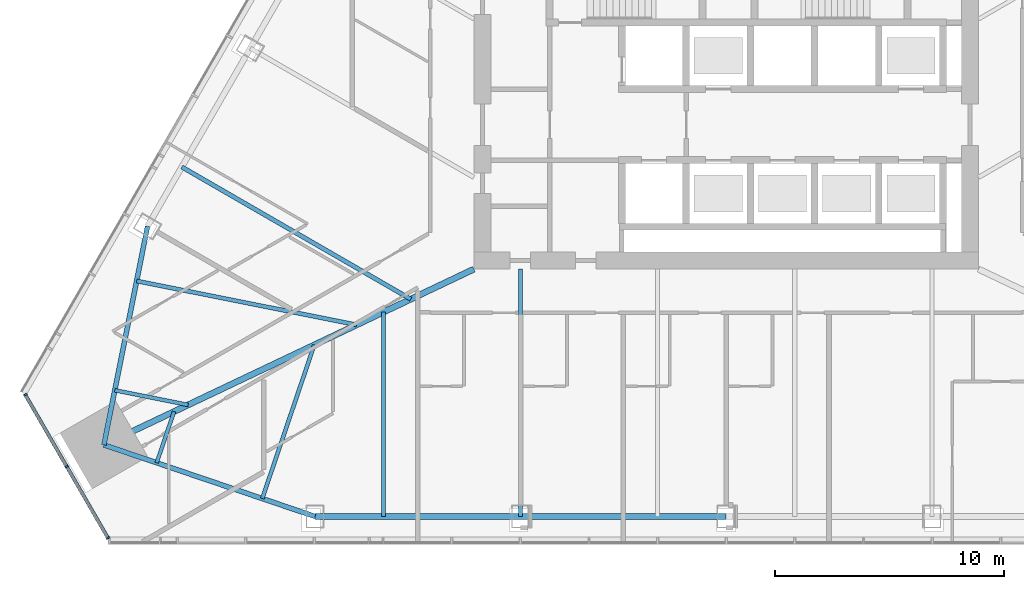
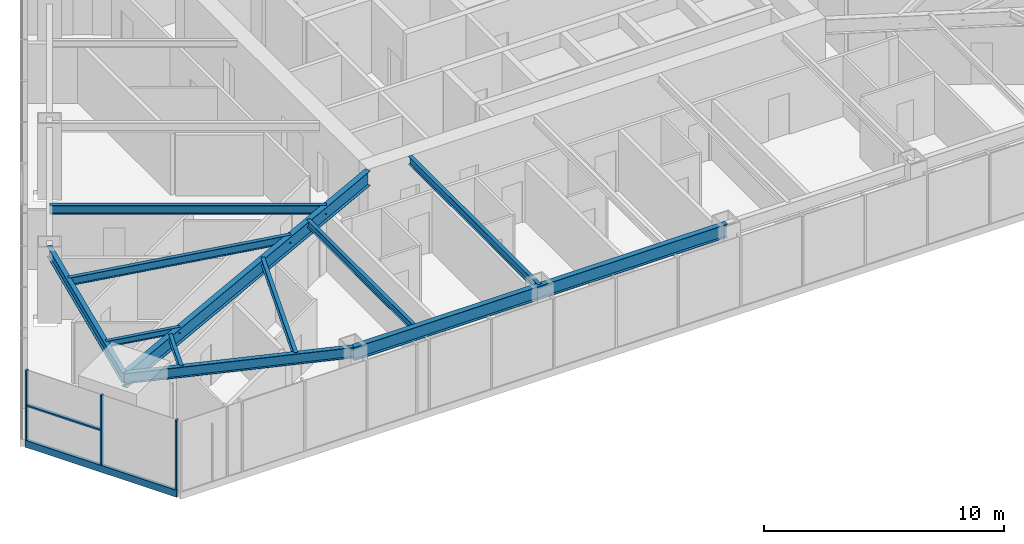
# One storey, part 2 of 21: 11 beams, 5 members, 1 element without a shape of its own.
"""IFC4 building model written with IfcOpenShell, lengths in metres."""

from ifc_helpers import new_model, si_unit, direction, frame, origin, origin_2d, place, context, subcontext, project, spatial, rectangle, i_section, extrude, material, layer, layer_set, material_profile, profile_set, type_object, element, aggregate, save


model = new_model("IFC4")

# Units and contexts
model_context = context("Model", 3, precision=1e-05, world=origin(), true_north=direction((0.0, 1.0)))
body_context = subcontext(model_context, "Body", "Model", "MODEL_VIEW")
ifc_project = project(units=[si_unit("LENGTHUNIT", "METRE"), si_unit("AREAUNIT", "SQUARE_METRE"), si_unit("VOLUMEUNIT", "CUBIC_METRE"), si_unit("PLANEANGLEUNIT", "RADIAN"), si_unit("MASSUNIT", "GRAM", prefix="KILO")], contexts=[model_context])

# Site, building, storey
site_placement = place(None, origin())
site = spatial("IfcSite", under=ifc_project, at=site_placement, CompositionType="ELEMENT")
building_placement = place(site_placement, origin())
building = spatial("IfcBuilding", under=site, at=building_placement, Name="Firuza Gate Tower and Library", CompositionType="ELEMENT")
storey_placement = place(building_placement, frame((0.0, 0.0, 167.5)))
storey = spatial("IfcBuildingStorey", under=building, at=storey_placement, Name="L38", CompositionType="ELEMENT", Elevation=167.5)

# Curtain wall, members
ifc_material_1 = material(Name="Aluminium 6063-T6", Category="aluminium")
ifc_layer = layer(ifc_material_1, 0.14990234375)
ifc_layer_set = layer_set([ifc_layer], Name="Corner curtain wall, chamfers")
curtain_wall_type = type_object("IfcCurtainWallType", Name="Corner curtain wall, chamfers", PredefinedType="NOTDEFINED", material=ifc_layer_set)
curtain_wall_placement = place(storey_placement, origin())
curtain_wall = element("IfcCurtainWall", 1, at=curtain_wall_placement, inside=storey, type_object=curtain_wall_type, Name="CW4 L38 SW corner", PredefinedType="NOTDEFINED")
ifc_material_2 = material(Name="Aluminium 6063-T6", Category="aluminium")
ifc_material_profile_1 = material_profile(ifc_material_2, rectangle(XDim=0.14990234375, YDim=0.080078125, at=origin_2d()))
ifc_profile_set_1 = profile_set([ifc_material_profile_1], Name="Aluminium 6063-T6")
member_type_1 = type_object("IfcMemberType", Name="Curtain wall mullion 80x150", PredefinedType="MULLION", material=ifc_profile_set_1)
member_1_placement = place(storey_placement, frame((44.447509765625, 61.521240234375, 0.14990234375), z_axis=(0.0, 0.0, 1.0), x_axis=(0.866025403784, 0.5, 0.0)))
member_1 = element("IfcMember", 2, at=member_1_placement, type_object=member_type_1, Name="Mullion", PredefinedType="MULLION", context=body_context, shape_type="SweptSolid", body=[
    extrude(rectangle(XDim=0.14990234375, YDim=0.080078125, at=origin_2d()), origin(), (0.0, 0.0, 1.0), 3.550048828125),
])
member_2_placement = place(storey_placement, frame((46.249267578125, 58.400634765625, 0.14990234375), z_axis=(0.0, 0.0, 1.0), x_axis=(0.866025403784, 0.5, 0.0)))
member_2 = element("IfcMember", 3, at=member_2_placement, type_object=member_type_1, Name="Mullion", PredefinedType="MULLION", context=body_context, shape_type="SweptSolid", body=[
    extrude(rectangle(XDim=0.14990234375, YDim=0.080078125, at=origin_2d()), origin(), (0.0, 0.0, 1.0), 3.550048828125),
])
member_3_placement = place(storey_placement, frame((48.051025390625, 55.2802734375, 0.14990234375), z_axis=(0.0, 0.0, 1.0), x_axis=(0.866025403784, 0.5, 0.0)))
member_3 = element("IfcMember", 4, at=member_3_placement, type_object=member_type_1, Name="Mullion", PredefinedType="MULLION", context=body_context, shape_type="SweptSolid", body=[
    extrude(rectangle(XDim=0.14990234375, YDim=0.080078125, at=origin_2d()), origin(), (0.0, 0.0, 1.0), 3.550048828125),
])
ifc_material_3 = material(Name="Aluminium 6063-T6", Category="aluminium")
ifc_material_profile_2 = material_profile(ifc_material_3, rectangle(XDim=0.14990234375, YDim=0.35009765625, at=origin_2d()))
ifc_profile_set_2 = profile_set([ifc_material_profile_2], Name="Aluminium 6063-T6")
member_type_2 = type_object("IfcMemberType", Name="Curtain wall transom 350x150", PredefinedType="USERDEFINED", material=ifc_profile_set_2)
member_4_placement = place(storey_placement, frame((44.427734375, 61.555908203125, -0.02490234375), z_axis=(0.499980589496, -0.866036610154, 0.0), x_axis=(0.866036610154, 0.499980589496, 0.0)))
member_4 = element("IfcMember", 5, at=member_4_placement, type_object=member_type_2, Name="Transom", ObjectType="TRANSOM", PredefinedType="USERDEFINED", context=body_context, shape_type="SweptSolid", body=[
    extrude(rectangle(XDim=0.14990234375, YDim=0.35009765625, at=origin_2d()), origin(), (0.0, 0.0, 1.0), 7.286376953125),
])
ifc_material_4 = material(Name="Aluminium 6063-T6", Category="aluminium")
ifc_material_profile_3 = material_profile(ifc_material_4, rectangle(XDim=0.14990234375, YDim=0.080078125, at=origin_2d()))
ifc_profile_set_3 = profile_set([ifc_material_profile_3], Name="Aluminium 6063-T6")
member_type_3 = type_object("IfcMemberType", Name="Curtain wall transom 80x150", PredefinedType="USERDEFINED", material=ifc_profile_set_3)
member_5_placement = place(storey_placement, frame((44.447509765625, 61.521240234375, 1.925048828125), z_axis=(0.500015035186, -0.866016723041, 0.0), x_axis=(0.866016723041, 0.500015035186, 0.0)))
member_5 = element("IfcMember", 6, at=member_5_placement, type_object=member_type_3, Name="Transom", ObjectType="TRANSOM", PredefinedType="USERDEFINED", context=body_context, shape_type="SweptSolid", body=[
    extrude(rectangle(XDim=0.14990234375, YDim=0.080078125, at=origin_2d()), origin(), (0.0, 0.0, 1.0), 3.5634765625),
])
aggregate(curtain_wall, [member_1, member_2, member_3, member_4, member_5])

# Beams
ifc_material_5 = material(Name="Steel S355", Category="steel")
ifc_material_profile_4 = material_profile(ifc_material_5, i_section(OverallWidth=0.1650390625, OverallDepth=0.31005859375, WebThickness=0.005859375, FlangeThickness=0.009765625, at=origin_2d()))
ifc_profile_set_4 = profile_set([ifc_material_profile_4], Name="Steel S355")
beam_type_1 = type_object("IfcBeamType", Name="W310x39 Floor beam", PredefinedType="JOIST", material=ifc_profile_set_4)
beam_1_placement = place(storey_placement, frame((48.348388671875, 61.720458984375, 3.544921875), z_axis=(0.980672759664, -0.195655151867, 0.0), x_axis=(0.195655151867, 0.980672759664, 0.0)))
element("IfcBeam", 7, at=beam_1_placement, inside=storey, type_object=beam_type_1, Name="Floor beam L38 s01", PredefinedType="JOIST", context=body_context, shape_type="SweptSolid", body=[
    extrude(i_section(OverallWidth=0.1650390625, OverallDepth=0.31005859375, WebThickness=0.005859375, FlangeThickness=0.009765625, at=origin_2d()), origin(), (0.0, 0.0, 1.0), 3.25927734375),
])
beam_2_placement = place(storey_placement, frame((50.173828125, 58.558837890625, 3.544921875), z_axis=(0.320886488599, 0.947117659763, 0.0), x_axis=(-0.947117659763, 0.320886488599, 0.0)))
element("IfcBeam", 8, at=beam_2_placement, inside=storey, type_object=beam_type_1, Name="Floor beam L38 s10", PredefinedType="JOIST", context=body_context, shape_type="SweptSolid", body=[
    extrude(i_section(OverallWidth=0.1650390625, OverallDepth=0.31005859375, WebThickness=0.005859375, FlangeThickness=0.009765625, at=origin_2d()), origin(), (0.0, 0.0, 1.0), 2.356201171875),
])
ifc_material_6 = material(Name="Steel S355", Category="steel")
ifc_material_profile_5 = material_profile(ifc_material_6, i_section(OverallWidth=0.1708984375, OverallDepth=0.35498046875, WebThickness=0.007080078125, FlangeThickness=0.01171875, at=origin_2d()))
ifc_profile_set_5 = profile_set([ifc_material_profile_5], Name="Steel S355")
beam_type_2 = type_object("IfcBeamType", Name="W360x51 Floor beam", PredefinedType="JOIST", material=ifc_profile_set_5)
beam_3_placement = place(storey_placement, frame((54.775390625, 57.0, 3.5224609375), z_axis=(0.320855506984, 0.947128155868, 0.0), x_axis=(-0.947128155868, 0.320855506984, 0.0)))
element("IfcBeam", 9, at=beam_3_placement, inside=storey, type_object=beam_type_2, Name="Floor beam L38 s11", PredefinedType="JOIST", context=body_context, shape_type="SweptSolid", body=[
    extrude(i_section(OverallWidth=0.1708984375, OverallDepth=0.35498046875, WebThickness=0.007080078125, FlangeThickness=0.01171875, at=origin_2d()), origin(), (0.0, 0.0, 1.0), 7.06884765625),
])
beam_4_placement = place(storey_placement, frame((60.0634765625, 56.220458984375, 3.5224609375), z_axis=(0.0, 1.0, 0.0), x_axis=(-1.0, 0.0, 0.0)))
element("IfcBeam", 10, at=beam_4_placement, inside=storey, type_object=beam_type_2, Name="Floor beam L38 s20", PredefinedType="JOIST", context=body_context, shape_type="SweptSolid", body=[
    extrude(i_section(OverallWidth=0.1708984375, OverallDepth=0.35498046875, WebThickness=0.007080078125, FlangeThickness=0.01171875, at=origin_2d()), origin(), (0.0, 0.0, 1.0), 8.909423828125),
])
ifc_material_7 = material(Name="Steel S355", Category="steel")
ifc_material_profile_6 = material_profile(ifc_material_7, i_section(OverallWidth=0.177978515625, OverallDepth=0.406982421875, WebThickness=0.0078125, FlangeThickness=0.0126953125, at=origin_2d()))
ifc_profile_set_6 = profile_set([ifc_material_profile_6], Name="Steel S355")
beam_type_3 = type_object("IfcBeamType", Name="W410x60 Floor beam", PredefinedType="JOIST", material=ifc_profile_set_6)
beam_5_placement = place(storey_placement, frame((49.29931640625, 66.48486328125, 3.49658203125), z_axis=(0.980667968547, -0.195679164617, 0.0), x_axis=(0.195679164617, 0.980667968547, 0.0)))
element("IfcBeam", 11, at=beam_5_placement, inside=storey, type_object=beam_type_3, Name="Floor beam L38 s00", PredefinedType="JOIST", context=body_context, shape_type="SweptSolid", body=[
    extrude(i_section(OverallWidth=0.177978515625, OverallDepth=0.406982421875, WebThickness=0.0078125, FlangeThickness=0.0126953125, at=origin_2d()), origin(), (0.0, 0.0, 1.0), 9.77783203125),
])
beam_6_placement = place(storey_placement, frame((66.0380859375, 56.220458984375, 3.49658203125), z_axis=(0.0, 1.0, 0.0), x_axis=(-1.0, 0.0, 0.0)))
element("IfcBeam", 12, at=beam_6_placement, inside=storey, type_object=beam_type_3, Name="Floor beam L38 s21", PredefinedType="JOIST", context=body_context, shape_type="SweptSolid", body=[
    extrude(i_section(OverallWidth=0.177978515625, OverallDepth=0.406982421875, WebThickness=0.0078125, FlangeThickness=0.0126953125, at=origin_2d()), origin(), (0.0, 0.0, 1.0), 10.779541015625),
])
ifc_material_8 = material(Name="Steel S355", Category="steel")
ifc_material_profile_7 = material_profile(ifc_material_8, i_section(OverallWidth=0.18994140625, OverallDepth=0.45703125, WebThickness=0.009033203125, FlangeThickness=0.014404296875, at=origin_2d()))
ifc_profile_set_7 = profile_set([ifc_material_profile_7], Name="Steel S355")
beam_type_4 = type_object("IfcBeamType", Name="W460x74 Floor beam", PredefinedType="JOIST", material=ifc_profile_set_7)
beam_7_placement = place(storey_placement, frame((51.268310546875, 71.454345703125, 3.471435546875), z_axis=(0.866028586684, -0.499994487016, 0.0), x_axis=(0.499994487016, 0.866028586684, 0.0)))
element("IfcBeam", 13, at=beam_7_placement, inside=storey, type_object=beam_type_4, Name="Floor beam L38 s85", PredefinedType="JOIST", context=body_context, shape_type="SweptSolid", body=[
    extrude(i_section(OverallWidth=0.18994140625, OverallDepth=0.45703125, WebThickness=0.009033203125, FlangeThickness=0.014404296875, at=origin_2d()), origin(), (0.0, 0.0, 1.0), 11.523681640625),
])
ifc_material_9 = material(Name="Steel S355", Category="steel")
ifc_material_profile_8 = material_profile(ifc_material_9, i_section(OverallWidth=0.212890625, OverallDepth=0.5390625, WebThickness=0.01171875, FlangeThickness=0.018798828125, at=origin_2d()))
ifc_profile_set_8 = profile_set([ifc_material_profile_8], Name="Steel S355")
beam_type_5 = type_object("IfcBeamType", Name="W530x109 Edge beam", PredefinedType="SPANDREL", material=ifc_profile_set_8)
beam_8_placement = place(storey_placement, frame((49.774658203125, 68.8671875, 3.430419921875), z_axis=(-0.195700584523, -0.980663694249, 0.0), x_axis=(0.980663694249, -0.195700584523, 0.0)))
element("IfcBeam", 14, at=beam_8_placement, inside=storey, type_object=beam_type_5, Name="Edge beam L38 e00", PredefinedType="SPANDREL", context=body_context, shape_type="SweptSolid", body=[
    extrude(i_section(OverallWidth=0.212890625, OverallDepth=0.5390625, WebThickness=0.01171875, FlangeThickness=0.018798828125, at=origin_2d()), origin(), (0.0, 0.0, 1.0), 9.717041015625),
])
beam_9_placement = place(storey_placement, frame((47.873046875, 59.338134765625, 3.430419921875), z_axis=(0.947129305781, -0.320852112554, 0.0), x_axis=(0.320852112554, 0.947129305781, 0.0)))
element("IfcBeam", 15, at=beam_9_placement, inside=storey, type_object=beam_type_5, Name="Edge beam L38 e10", PredefinedType="SPANDREL", context=body_context, shape_type="SweptSolid", body=[
    extrude(i_section(OverallWidth=0.212890625, OverallDepth=0.5390625, WebThickness=0.01171875, FlangeThickness=0.018798828125, at=origin_2d()), origin(), (0.0, 0.0, 1.0), 9.716796875),
])
ifc_material_10 = material(Name="Steel S355", Category="steel")
ifc_material_profile_9 = material_profile(ifc_material_10, i_section(OverallWidth=0.2529296875, OverallDepth=0.677978515625, WebThickness=0.01171875, FlangeThickness=0.016357421875, at=origin_2d()))
ifc_profile_set_9 = profile_set([ifc_material_profile_9], Name="Steel S355")
beam_type_6 = type_object("IfcBeamType", Name="W690x125 Edge beam", PredefinedType="SPANDREL", material=ifc_profile_set_9)
beam_10_placement = place(storey_placement, frame((57.076171875, 56.220458984375, 3.361083984375), z_axis=(1.0, 0.0, 0.0), x_axis=(0.0, 1.0, 0.0)))
element("IfcBeam", 16, at=beam_10_placement, inside=storey, type_object=beam_type_6, Name="Edge beam L38 e20", PredefinedType="SPANDREL", context=body_context, shape_type="SweptSolid", body=[
    extrude(i_section(OverallWidth=0.2529296875, OverallDepth=0.677978515625, WebThickness=0.01171875, FlangeThickness=0.016357421875, at=origin_2d()), origin(), (0.0, 0.0, 1.0), 17.923828125),
])
ifc_material_11 = material(Name="Steel S355", Category="steel")
ifc_material_profile_10 = material_profile(ifc_material_11, i_section(OverallWidth=0.264892578125, OverallDepth=0.7529296875, WebThickness=0.01318359375, FlangeThickness=0.01708984375, at=origin_2d()))
ifc_profile_set_10 = profile_set([ifc_material_profile_10], Name="Steel S355")
beam_type_7 = type_object("IfcBeamType", Name="W760x147 Girder", PredefinedType="BEAM", material=ifc_profile_set_10)
beam_11_placement = place(storey_placement, frame((47.873046875, 59.338134765625, 3.323486328125), z_axis=(0.903243585223, 0.429128215984, 0.0), x_axis=(-0.429128215984, 0.903243585223, 0.0)))
element("IfcBeam", 17, at=beam_11_placement, inside=storey, type_object=beam_type_7, Name="Girder L38 gSW", PredefinedType="BEAM", context=body_context, shape_type="SweptSolid", body=[
    extrude(i_section(OverallWidth=0.264892578125, OverallDepth=0.7529296875, WebThickness=0.01318359375, FlangeThickness=0.01708984375, at=origin_2d()), origin(), (0.0, 0.0, 1.0), 17.8544921875),
])

save(model, "model.ifc")
